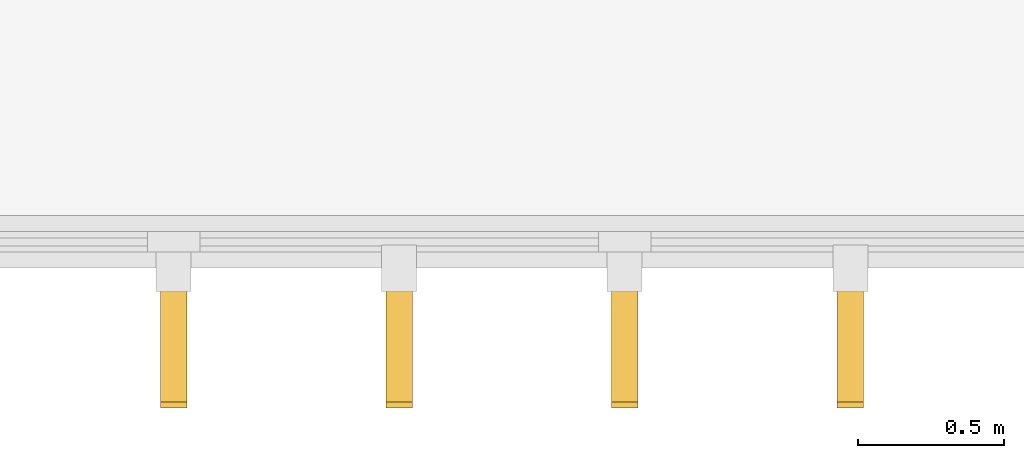
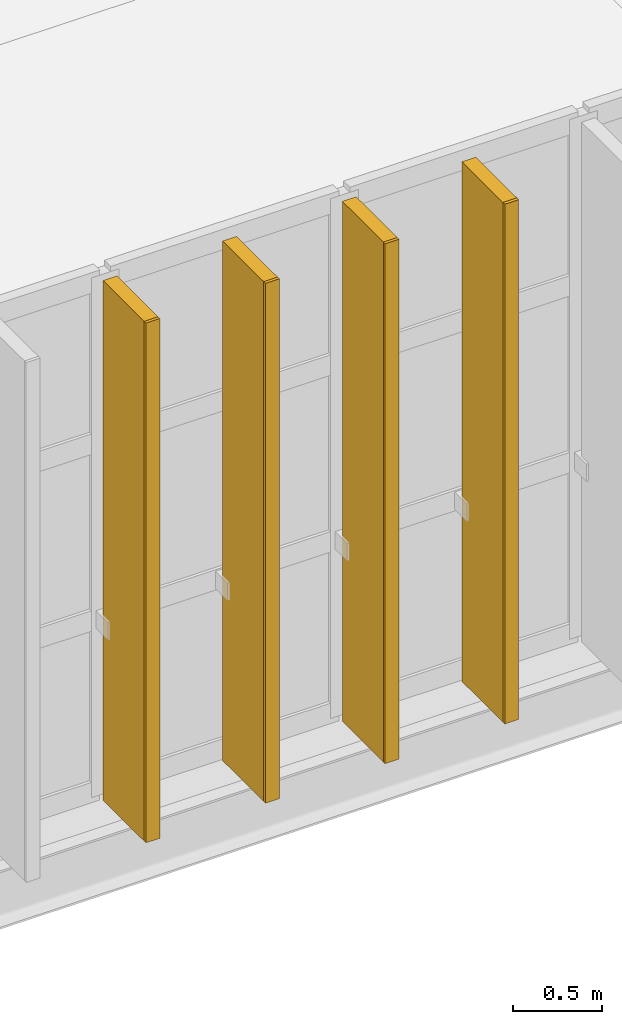
# One storey, part 38 of 52: 4 coverings, 4 shading devices.
"""IFC4 building model written with IfcOpenShell, lengths in metres."""

import ifcopenshell
import ifcopenshell.guid

model = None  # the IFC model being written
_history = None  # IfcOwnerHistory: only IFC2X3 demands one
_inside = {}  # id of a spatial element -> (the spatial element, [elements in it])
_under = {}  # id of a project, library or spatial element -> (it, [spatial elements below it])
_declared = {}  # id of a project -> (the project, [libraries it declares])
_typed = {}  # id of a type object -> (the type object, [elements of that type])
_made_of = {}  # id of a material, layer set ... -> (it, [elements and type objects made of it])


def new_model(schema):
    """Start an empty IFC model of exactly this schema.

    Asked for "IFC4X3", IfcOpenShell would pick the latest addendum, in which some entities
    have other attributes; the version numbers below select the first issue.
    IFC2X3 requires an IfcOwnerHistory on every rooted entity: one is made here for all.
    """
    global model, _history
    if schema == "IFC4X3":
        model = ifcopenshell.file(schema_version=(4, 3, 0, 0))
    else:
        model = ifcopenshell.file(schema=schema)
    _inside.clear()
    _under.clear()
    _declared.clear()
    _typed.clear()
    _made_of.clear()
    _history = None
    if model.schema == "IFC2X3":
        org = make("IfcOrganization", Name="unknown")
        user = make(
            "IfcPersonAndOrganization",
            ThePerson=make("IfcPerson", FamilyName="unknown"),
            TheOrganization=org,
        )
        app = make(
            "IfcApplication",
            ApplicationDeveloper=org,
            Version="unknown",
            ApplicationFullName="unknown",
            ApplicationIdentifier="unknown",
        )
        _history = make(
            "IfcOwnerHistory",
            OwningUser=user,
            OwningApplication=app,
            ChangeAction="ADDED",
            CreationDate=0,
        )
    return model


def make(cls, **values):
    """One entity of the class cls with the attributes given. An attribute that is None is left unset."""
    return model.create_entity(
        cls, **{name: value for name, value in values.items() if value is not None}
    )


def rooted(cls, **values):
    """An entity with a GlobalId (a new one), such as an element, a storey or a relation."""
    return make(cls, GlobalId=ifcopenshell.guid.new(), OwnerHistory=_history, **values)


def si_unit(unit_type, name, prefix=None):
    """IfcSIUnit, for example si_unit("LENGTHUNIT", "METRE", prefix="MILLI")."""
    return make("IfcSIUnit", UnitType=unit_type, Prefix=prefix, Name=name)


def assignment(units):
    """IfcUnitAssignment: the units of a project."""
    return None if units is None else make("IfcUnitAssignment", Units=units)


def point(xyz):
    """IfcCartesianPoint."""
    return None if xyz is None else make("IfcCartesianPoint", Coordinates=xyz)


def direction(xyz):
    """IfcDirection."""
    return None if xyz is None else make("IfcDirection", DirectionRatios=xyz)


def frame(location, z_axis=None, x_axis=None):
    """IfcAxis2Placement3D, a coordinate frame: its origin and axes. An axis left out is left unset."""
    return make(
        "IfcAxis2Placement3D",
        Location=point(location),
        Axis=direction(z_axis),
        RefDirection=direction(x_axis),
    )


def frame_2d(location, x_axis=None):
    """IfcAxis2Placement2D, a coordinate frame in the plane: its origin and x axis."""
    return make(
        "IfcAxis2Placement2D", Location=point(location), RefDirection=direction(x_axis)
    )


def origin():
    """The frame at (0, 0, 0) with its axes left unset."""
    return frame((0.0, 0.0, 0.0))


def origin_2d():
    """The frame at (0, 0) in the plane with its x axis left unset."""
    return frame_2d((0.0, 0.0))


def place(relative_to, where):
    """IfcLocalPlacement: puts the frame where relative to a parent placement (None: the world)."""
    return make(
        "IfcLocalPlacement", PlacementRelTo=relative_to, RelativePlacement=where
    )


def context(
    kind, dimensions, precision=None, world=None, true_north=None, identifier=None
):
    """IfcGeometricRepresentationContext, for example the 3D "Model" context."""
    return make(
        "IfcGeometricRepresentationContext",
        ContextIdentifier=identifier,
        ContextType=kind,
        CoordinateSpaceDimension=dimensions,
        Precision=precision,
        WorldCoordinateSystem=world,
        TrueNorth=true_north,
    )


def subcontext(parent, identifier, kind, view, scale=None):
    """IfcGeometricRepresentationSubContext, for example "Body" below "Model"."""
    return make(
        "IfcGeometricRepresentationSubContext",
        ContextIdentifier=identifier,
        ContextType=kind,
        ParentContext=parent,
        TargetScale=scale,
        TargetView=view,
    )


def project(units=None, contexts=None):
    """IfcProject with its units and contexts."""
    return rooted(
        "IfcProject",
        Name="project",
        RepresentationContexts=contexts,
        UnitsInContext=assignment(units),
    )


def spatial(cls, under=None, at=None, **own):
    """A site, building, storey or space (cls), placed at a placement, below another one or the project."""
    s = rooted(cls, ObjectPlacement=at, **own)
    if under is not None:
        _under.setdefault(under.id(), (under, []))[1].append(s)
    return s


def profile(cls, at=None, kind="AREA", **sizes):
    """A parametric profile (cls). Its sizes go by their IFC names, for example OverallWidth=200.0."""
    return make(cls, ProfileType=kind, Position=at, **sizes)


def rectangle(**sizes):
    """IfcRectangleProfileDef."""
    return profile("IfcRectangleProfileDef", **sizes)


def extrude(swept, where, along, depth):
    """IfcExtrudedAreaSolid: the profile swept, set in the frame where, extruded along a direction by depth."""
    return make(
        "IfcExtrudedAreaSolid",
        SweptArea=swept,
        Position=where,
        ExtrudedDirection=direction(along),
        Depth=depth,
    )


def shape(context_of_items, identifier, shape_type, items):
    """IfcShapeRepresentation: the items that make up one representation, for example the "Body"."""
    return make(
        "IfcShapeRepresentation",
        ContextOfItems=context_of_items,
        RepresentationIdentifier=identifier,
        RepresentationType=shape_type,
        Items=items,
    )


def material(Name=None, Category=None):
    """IfcMaterial."""
    return make("IfcMaterial", Name=Name, Category=Category)


def layer(
    of_material, thickness, ventilated=None, Name=None, Category=None, Priority=None
):
    """IfcMaterialLayer: one layer of a wall or slab, of a material (None: an air gap)."""
    return make(
        "IfcMaterialLayer",
        Material=of_material,
        LayerThickness=thickness,
        IsVentilated=ventilated,
        Name=Name,
        Category=Category,
        Priority=Priority,
    )


def layer_set(layers, Name=None):
    """IfcMaterialLayerSet."""
    return make("IfcMaterialLayerSet", MaterialLayers=layers, LayerSetName=Name)


def made_of(thing, what):
    """Note that an element or type object is made of a material, layer set ...; save() writes the relation."""
    if what is not None:
        _made_of.setdefault(what.id(), (what, []))[1].append(thing)
    return thing


def type_object(cls, material=None, **own):
    """A type object (cls), such as IfcWallType, which elements share."""
    return made_of(rooted(cls, **own), material)


def element(
    cls,
    number,
    at=None,
    inside=None,
    cuts=None,
    type_object=None,
    material=None,
    context=None,
    identifier="Body",
    shape_type=None,
    held_by="IfcProductDefinitionShape",
    body=None,
    shapes=None,
    **own,
):
    """One element of the class cls, such as IfcWall. Its Tag is "e" and its number.

    at: its placement. inside: the storey or other place that contains it. cuts: it is an
    opening in that element (IfcRelVoidsElement). A single representation is given by context,
    identifier, shape_type and body (its items); several are given by shapes. held_by: the class
    of the entity that holds the representations. save() writes the other relations.
    """
    e = rooted(cls, Tag="e%d" % number, ObjectPlacement=at, **own)
    if body is not None:
        shapes = [shape(context, identifier, shape_type, body)]
    if shapes is not None:
        e.Representation = make(held_by, Representations=shapes)
    if inside is not None:
        _inside.setdefault(inside.id(), (inside, []))[1].append(e)
    if cuts is not None:
        rooted(
            "IfcRelVoidsElement", RelatingBuildingElement=cuts, RelatedOpeningElement=e
        )
    if type_object is not None:
        _typed.setdefault(type_object.id(), (type_object, []))[1].append(e)
    return made_of(e, material)


def aggregate(whole, parts):
    """IfcRelAggregates: a whole, such as a stair, and the parts it consists of."""
    return rooted("IfcRelAggregates", RelatingObject=whole, RelatedObjects=parts)


def save(model, path):
    """Write the relations noted so far, then the file.

    IfcRelAggregates (storeys below a building ...), IfcRelContainedInSpatialStructure (elements
    in a storey), IfcRelDefinesByType, IfcRelAssociatesMaterial and IfcRelDeclares: one each for
    every whole, place, type object, material and project.
    """
    for whole, parts in _under.values():
        aggregate(whole, parts)
    for where, things in _inside.values():
        rooted(
            "IfcRelContainedInSpatialStructure",
            RelatedElements=things,
            RelatingStructure=where,
        )
    for kind, things in _typed.values():
        rooted("IfcRelDefinesByType", RelatedObjects=things, RelatingType=kind)
    for what, things in _made_of.values():
        rooted("IfcRelAssociatesMaterial", RelatedObjects=things, RelatingMaterial=what)
    for by, libraries in _declared.values():
        rooted("IfcRelDeclares", RelatingContext=by, RelatedDefinitions=libraries)
    model.write(path)


model = new_model("IFC4")

# Units and contexts
model_context = context("Model", 3, precision=1e-05, world=origin(), true_north=direction((0.0, 1.0)))
body_context = subcontext(model_context, "Body", "Model", "MODEL_VIEW")
ifc_project = project(units=[si_unit("LENGTHUNIT", "METRE"), si_unit("AREAUNIT", "SQUARE_METRE"), si_unit("VOLUMEUNIT", "CUBIC_METRE"), si_unit("PLANEANGLEUNIT", "RADIAN"), si_unit("MASSUNIT", "GRAM", prefix="KILO")], contexts=[model_context])

# Site, building, storey
site_placement = place(None, origin())
site = spatial("IfcSite", under=ifc_project, at=site_placement, CompositionType="ELEMENT")
building_placement = place(site_placement, origin())
building = spatial("IfcBuilding", under=site, at=building_placement, Name="Zarnetskaya Central Station", CompositionType="ELEMENT")
storey_placement = place(building_placement, frame((0.0, 0.0, 14.39990234375)))
storey = spatial("IfcBuildingStorey", under=building, at=storey_placement, Name="L03", CompositionType="ELEMENT", Elevation=14.39990234375)

# Coverings
ifc_material_1 = material(Name="Treated larch timber", Category="wood")
ifc_layer = layer(ifc_material_1, 0.02001953125, Name="Treated larch timber", Category="wood")
ifc_layer_set = layer_set([ifc_layer], Name="Treated larch timber")
covering_type = type_object("IfcCoveringType", Name="COV-LARCH-CAP", PredefinedType="CLADDING", material=ifc_layer_set)
for number, where, z_axis, x_axis, name in (
    (1, (15.175048828125, -0.56005859375, 0.0), (0.0, 0.0, 1.0), (-1.0, 0.0, 0.0), "Larch fin weather cap CW-L03-045-05"),
    (2, (14.39990234375, -0.56005859375, 0.0), (0.0, 0.0, 1.0), (-1.0, 0.0, 0.0), "Larch fin weather cap CW-L03-045-06"),
    (3, (13.625, -0.56005859375, 0.0), (0.0, 0.0, 1.0), (-1.0, 0.0, 0.0), "Larch fin weather cap CW-L03-045-07"),
    (4, (12.85009765625, -0.56005859375, 0.0), (0.0, 0.0, 1.0), (-1.0, 0.0, 0.0), "Larch fin weather cap CW-L03-045-08"),
):
    element("IfcCovering", number, at=place(storey_placement, frame(where, z_axis=z_axis, x_axis=x_axis)), inside=storey, type_object=covering_type, Name=name, PredefinedType="CLADDING", context=body_context, shape_type="SweptSolid", body=[
        extrude(rectangle(XDim=0.090087890625, YDim=0.02001953125, at=origin_2d()), origin(), (0.0, 0.0, 1.0), 3.56005859375),
    ])

# Shading devices
ifc_material_2 = material(Name="Larch glulam GL28h", Category="wood")
shading_device_type = type_object("IfcShadingDeviceType", Name="SHD-LARCH-FIN-A", PredefinedType="USERDEFINED", material=ifc_material_2)
for number, where, z_axis, x_axis, name in (
    (5, (15.175048828125, -0.320068359375, 0.0), (0.0, 0.0, 1.0), (-1.0, 0.0, 0.0), "Vertical larch timber fin CW-L03-045-05"),
    (6, (14.39990234375, -0.320068359375, 0.0), (0.0, 0.0, 1.0), (-1.0, 0.0, 0.0), "Vertical larch timber fin CW-L03-045-06"),
    (7, (13.625, -0.320068359375, 0.0), (0.0, 0.0, 1.0), (-1.0, 0.0, 0.0), "Vertical larch timber fin CW-L03-045-07"),
    (8, (12.85009765625, -0.320068359375, 0.0), (0.0, 0.0, 1.0), (-1.0, 0.0, 0.0), "Vertical larch timber fin CW-L03-045-08"),
):
    element("IfcShadingDevice", number, at=place(storey_placement, frame(where, z_axis=z_axis, x_axis=x_axis)), inside=storey, type_object=shading_device_type, Name=name, ObjectType="TIMBER FIN", PredefinedType="USERDEFINED", context=body_context, shape_type="SweptSolid", body=[
        extrude(rectangle(XDim=0.090087890625, YDim=0.4599609375, at=origin_2d()), origin(), (0.0, 0.0, 1.0), 3.56005859375),
    ])

save(model, "model.ifc")
